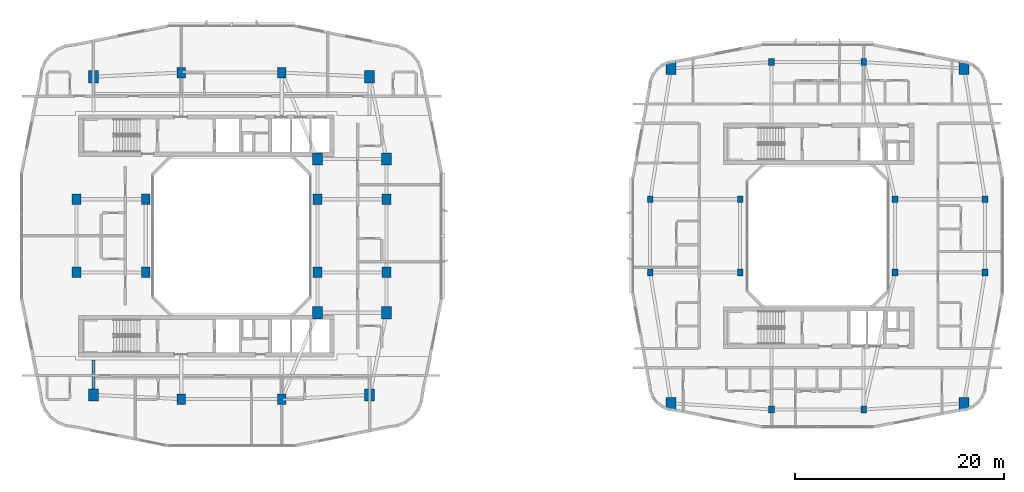
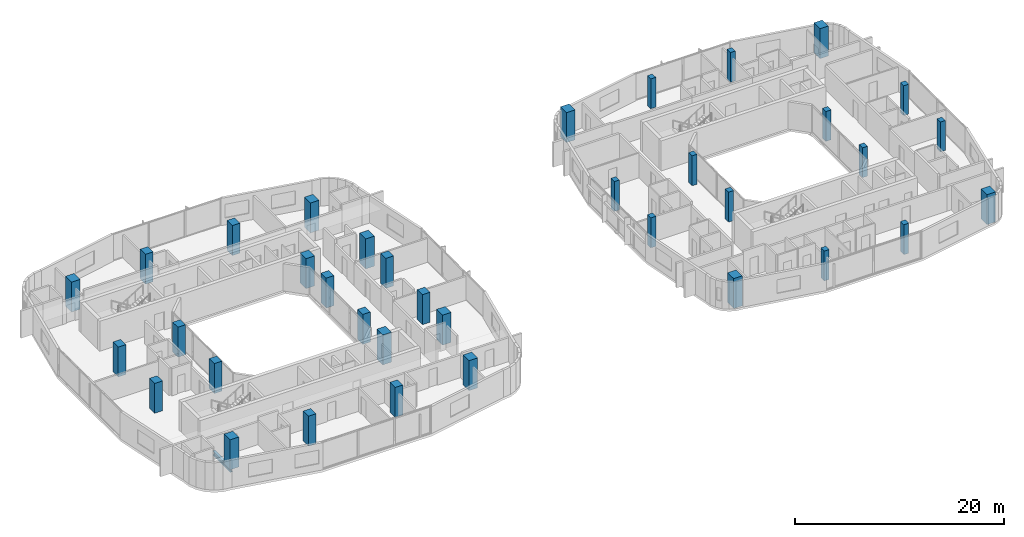
# One storey, part 1 of 26: 36 columns, 1 beam.
"""IFC4 building model written with IfcOpenShell, lengths in metres."""

from ifc_helpers import new_model, si_unit, derived_unit, direction, frame, origin, origin_2d, place, context, subcontext, project, spatial, rectangle, i_section, extrude, material, material_profile, profile_set, type_object, element, save


model = new_model("IFC4")

# Units and contexts
model_context = context("Model", 3, precision=1e-05, world=origin(), true_north=direction((0.0, 1.0)))
body_context = subcontext(model_context, "Body", "Model", "MODEL_VIEW")
ifc_project = project(units=[si_unit("LENGTHUNIT", "METRE"), si_unit("AREAUNIT", "SQUARE_METRE"), si_unit("VOLUMEUNIT", "CUBIC_METRE"), si_unit("PLANEANGLEUNIT", "RADIAN"), si_unit("MASSUNIT", "GRAM", prefix="KILO"), derived_unit("THERMALTRANSMITTANCEUNIT", [(si_unit("POWERUNIT", "WATT"), 1), (si_unit("LENGTHUNIT", "METRE"), -2), (si_unit("THERMODYNAMICTEMPERATUREUNIT", "KELVIN"), -1)])], contexts=[model_context])

# Site, building, storey
site_placement = place(None, origin())
site = spatial("IfcSite", under=ifc_project, at=site_placement, CompositionType="ELEMENT")
building_placement = place(site_placement, origin())
building = spatial("IfcBuilding", under=site, at=building_placement, Name="Kivonza Crest Hotel", CompositionType="ELEMENT")
storey_placement = place(building_placement, frame((0.0, 0.0, 116.0)))
storey = spatial("IfcBuildingStorey", under=building, at=storey_placement, Name="L31", CompositionType="ELEMENT", Elevation=116.0)

# Columns
ifc_material_1 = material(Name="Concrete C50/60", Category="concrete")
ifc_material_profile_1 = material_profile(ifc_material_1, rectangle(XDim=0.85009765625, YDim=1.0, at=origin_2d()), Name="RC 1000x850")
ifc_profile_set_1 = profile_set([ifc_material_profile_1], Name="Concrete C50/60")
column_type_1 = type_object("IfcColumnType", Name="CL-RC-1000x850", PredefinedType="COLUMN", material=ifc_profile_set_1)
for number, where, z_axis, x_axis, name in (
    (1, (16.199951171875, 9.39990234375, 0.0), (0.0, 0.0, 1.0), (1.0, 0.0, 0.0), "Tower T1 L31 column S1"),
    (2, (25.800048828125, 9.39990234375, 0.0), (0.0, 0.0, 1.0), (1.0, 0.0, 0.0), "Tower T1 L31 column S2"),
    (3, (16.199951171875, 40.60009765625, 0.0), (0.0, 0.0, 1.0), (1.0, 0.0, 0.0), "Tower T1 L31 column N1"),
    (4, (25.800048828125, 40.60009765625, 0.0), (0.0, 0.0, 1.0), (1.0, 0.0, 0.0), "Tower T1 L31 column N2"),
    (5, (6.199951171875, 21.5, 0.0), (0.0, 0.0, 1.0), (1.0, 0.0, 0.0), "Tower T1 L31 column W1"),
    (6, (6.199951171875, 28.5, 0.0), (0.0, 0.0, 1.0), (1.0, 0.0, 0.0), "Tower T1 L31 column W2"),
    (7, (35.800048828125, 21.5, 0.0), (0.0, 0.0, 1.0), (1.0, 0.0, 0.0), "Tower T1 L31 column E1"),
    (8, (35.800048828125, 28.5, 0.0), (0.0, 0.0, 1.0), (1.0, 0.0, 0.0), "Tower T1 L31 column E2"),
    (9, (12.800048828125, 21.5, 0.0), (0.0, 0.0, 1.0), (1.0, 0.0, 0.0), "Tower T1 L31 column WL1"),
    (10, (12.800048828125, 28.5, 0.0), (0.0, 0.0, 1.0), (1.0, 0.0, 0.0), "Tower T1 L31 column WL2"),
    (11, (29.199951171875, 21.5, 0.0), (0.0, 0.0, 1.0), (1.0, 0.0, 0.0), "Tower T1 L31 column WR1"),
    (12, (29.199951171875, 28.5, 0.0), (0.0, 0.0, 1.0), (1.0, 0.0, 0.0), "Tower T1 L31 column WR2"),
):
    element("IfcColumn", number, at=place(storey_placement, frame(where, z_axis=z_axis, x_axis=x_axis)), inside=storey, type_object=column_type_1, Name=name, PredefinedType="COLUMN", context=body_context, shape_type="SweptSolid", body=[
        extrude(rectangle(XDim=0.85009765625, YDim=1.0, at=origin_2d()), origin(), (0.0, 0.0, 1.0), 3.5),
    ])
ifc_material_2 = material(Name="Concrete C60/75", Category="concrete")
ifc_material_profile_2 = material_profile(ifc_material_2, rectangle(XDim=0.949951171875, YDim=1.14990234375, at=origin_2d()), Name="RC 1150x950")
ifc_profile_set_2 = profile_set([ifc_material_profile_2], Name="Concrete C60/75")
column_type_2 = type_object("IfcColumnType", Name="CL-RC-1150x950", PredefinedType="COLUMN", material=ifc_profile_set_2)
for number, where, z_axis, x_axis, name in (
    (13, (7.800048828125, 9.800048828125, 0.0), (0.0, 0.0, 1.0), (1.0, 0.0, 0.0), "Tower T1 L31 column SW"),
    (14, (34.199951171875, 9.800048828125, 0.0), (0.0, 0.0, 1.0), (1.0, 0.0, 0.0), "Tower T1 L31 column SE"),
    (15, (34.199951171875, 40.199951171875, 0.0), (0.0, 0.0, 1.0), (1.0, 0.0, 0.0), "Tower T1 L31 column NE"),
    (16, (7.800048828125, 40.199951171875, 0.0), (0.0, 0.0, 1.0), (1.0, 0.0, 0.0), "Tower T1 L31 column NW"),
    (17, (35.800048828125, 17.64990234375, 0.0), (0.0, 0.0, 1.0), (1.0, 0.0, 0.0), "Tower T1 L31 column PSE"),
    (18, (35.800048828125, 32.35009765625, 0.0), (0.0, 0.0, 1.0), (1.0, 0.0, 0.0), "Tower T1 L31 column PNE"),
    (19, (29.199951171875, 17.64990234375, 0.0), (0.0, 0.0, 1.0), (1.0, 0.0, 0.0), "Tower T1 L31 column TSE"),
    (20, (29.199951171875, 32.35009765625, 0.0), (0.0, 0.0, 1.0), (1.0, 0.0, 0.0), "Tower T1 L31 column TNE"),
    (21, (63.0, 9.0, 0.0), (0.0, 0.0, 1.0), (1.0, 0.0, 0.0), "Companion Tower T2 L31 column SW"),
    (22, (91.0, 9.0, 0.0), (0.0, 0.0, 1.0), (1.0, 0.0, 0.0), "Companion Tower T2 L31 column SE"),
    (23, (91.0, 41.0, 0.0), (0.0, 0.0, 1.0), (1.0, 0.0, 0.0), "Companion Tower T2 L31 column NE"),
    (24, (63.0, 41.0, 0.0), (0.0, 0.0, 1.0), (1.0, 0.0, 0.0), "Companion Tower T2 L31 column NW"),
):
    element("IfcColumn", number, at=place(storey_placement, frame(where, z_axis=z_axis, x_axis=x_axis)), inside=storey, type_object=column_type_2, Name=name, PredefinedType="COLUMN", context=body_context, shape_type="SweptSolid", body=[
        extrude(rectangle(XDim=0.949951171875, YDim=1.14990234375, at=origin_2d()), origin(), (0.0, 0.0, 1.0), 3.5),
    ])
ifc_material_profile_3 = material_profile(ifc_material_1, rectangle(XDim=0.550048828125, YDim=0.64990234375, at=origin_2d()), Name="RC 650x550")
ifc_profile_set_3 = profile_set([ifc_material_profile_3], Name="Concrete C50/60")
column_type_3 = type_object("IfcColumnType", Name="CL-RC-650x550", PredefinedType="COLUMN", material=ifc_profile_set_3)
for number, where, z_axis, x_axis, name in (
    (25, (72.60009765625, 8.39990234375, 0.0), (0.0, 0.0, 1.0), (1.0, 0.0, 0.0), "Companion Tower T2 L31 column S1"),
    (26, (81.39990234375, 8.39990234375, 0.0), (0.0, 0.0, 1.0), (1.0, 0.0, 0.0), "Companion Tower T2 L31 column S2"),
    (27, (72.60009765625, 41.60009765625, 0.0), (0.0, 0.0, 1.0), (1.0, 0.0, 0.0), "Companion Tower T2 L31 column N1"),
    (28, (81.39990234375, 41.60009765625, 0.0), (0.0, 0.0, 1.0), (1.0, 0.0, 0.0), "Companion Tower T2 L31 column N2"),
    (29, (61.0, 21.5, 0.0), (0.0, 0.0, 1.0), (1.0, 0.0, 0.0), "Companion Tower T2 L31 column W1"),
    (30, (61.0, 28.5, 0.0), (0.0, 0.0, 1.0), (1.0, 0.0, 0.0), "Companion Tower T2 L31 column W2"),
    (31, (93.0, 21.5, 0.0), (0.0, 0.0, 1.0), (1.0, 0.0, 0.0), "Companion Tower T2 L31 column E1"),
    (32, (93.0, 28.5, 0.0), (0.0, 0.0, 1.0), (1.0, 0.0, 0.0), "Companion Tower T2 L31 column E2"),
    (33, (69.60009765625, 21.5, 0.0), (0.0, 0.0, 1.0), (1.0, 0.0, 0.0), "Companion Tower T2 L31 column WL1"),
    (34, (69.60009765625, 28.5, 0.0), (0.0, 0.0, 1.0), (1.0, 0.0, 0.0), "Companion Tower T2 L31 column WL2"),
    (35, (84.39990234375, 21.5, 0.0), (0.0, 0.0, 1.0), (1.0, 0.0, 0.0), "Companion Tower T2 L31 column WR1"),
    (36, (84.39990234375, 28.5, 0.0), (0.0, 0.0, 1.0), (1.0, 0.0, 0.0), "Companion Tower T2 L31 column WR2"),
):
    element("IfcColumn", number, at=place(storey_placement, frame(where, z_axis=z_axis, x_axis=x_axis)), inside=storey, type_object=column_type_3, Name=name, PredefinedType="COLUMN", context=body_context, shape_type="SweptSolid", body=[
        extrude(rectangle(XDim=0.550048828125, YDim=0.64990234375, at=origin_2d()), origin(), (0.0, 0.0, 1.0), 3.5),
    ])

# Beam
ifc_material_3 = material(Name="Steel S355", Category="steel")
ifc_material_profile_4 = material_profile(ifc_material_3, i_section(OverallWidth=0.300048828125, OverallDepth=0.5, WebThickness=0.014404296875, FlangeThickness=0.028076171875, FilletRadius=0.027099609375, at=origin_2d()), Name="HEB 500")
ifc_profile_set_4 = profile_set([ifc_material_profile_4], Name="Steel S355")
beam_type = type_object("IfcBeamType", Name="BM-HEB500", PredefinedType="BEAM", material=ifc_profile_set_4)
beam_placement = place(storey_placement, frame((7.800048828125, 9.800048828125, -0.530029296875), z_axis=(0.0, 1.0, 0.0), x_axis=(-1.0, 0.0, 0.0)))
element("IfcBeam", 37, at=beam_placement, inside=storey, type_object=beam_type, Name="Tower T1 L31 radial core girder RSW", PredefinedType="BEAM", context=body_context, shape_type="SweptSolid", body=[
    extrude(i_section(OverallWidth=0.300048828125, OverallDepth=0.5, WebThickness=0.014404296875, FlangeThickness=0.028076171875, FilletRadius=0.027099609375, at=origin_2d()), origin(), (0.0, 0.0, 1.0), 3.349853515625),
])

save(model, "model.ifc")
